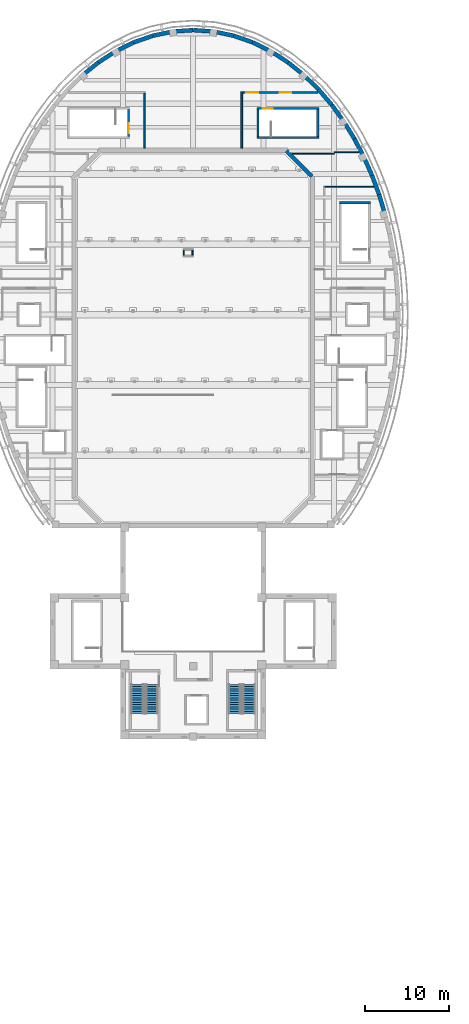
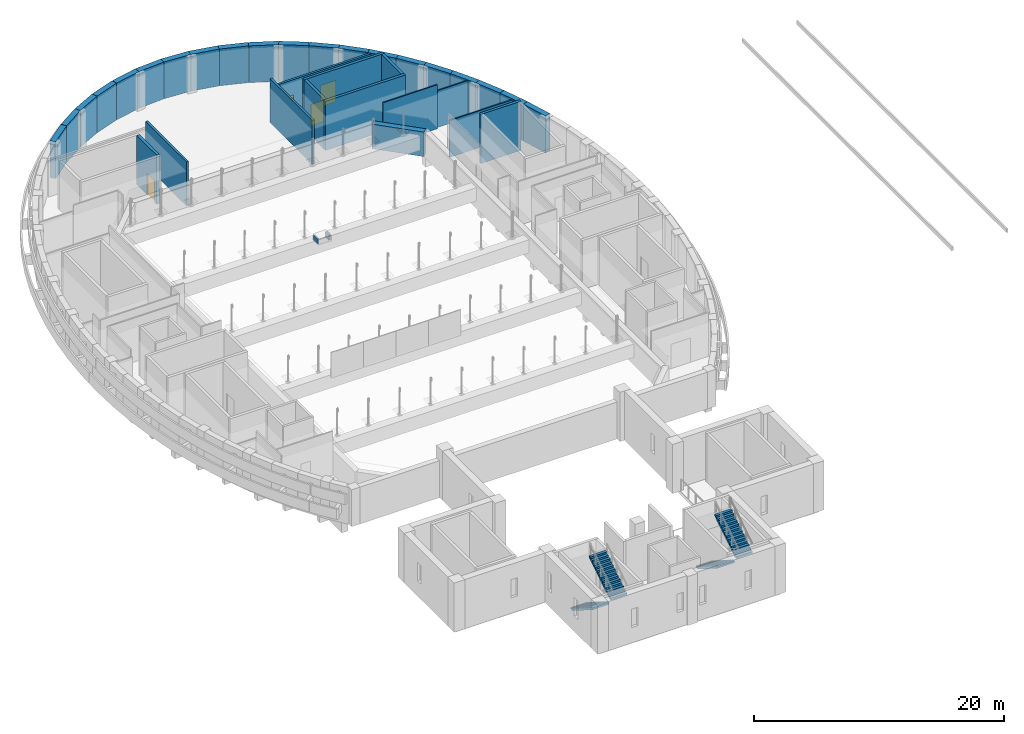
# One storey, part 31 of 47: 35 walls, 4 doors, 4 stair flights, 4 openings, 2 elements without a shape of their own.
"""IFC4 building model written with IfcOpenShell, lengths in metres."""

import ifcopenshell
import ifcopenshell.guid

model = None  # the IFC model being written
_history = None  # IfcOwnerHistory: only IFC2X3 demands one
_inside = {}  # id of a spatial element -> (the spatial element, [elements in it])
_under = {}  # id of a project, library or spatial element -> (it, [spatial elements below it])
_declared = {}  # id of a project -> (the project, [libraries it declares])
_typed = {}  # id of a type object -> (the type object, [elements of that type])
_made_of = {}  # id of a material, layer set ... -> (it, [elements and type objects made of it])


def new_model(schema):
    """Start an empty IFC model of exactly this schema.

    Asked for "IFC4X3", IfcOpenShell would pick the latest addendum, in which some entities
    have other attributes; the version numbers below select the first issue.
    IFC2X3 requires an IfcOwnerHistory on every rooted entity: one is made here for all.
    """
    global model, _history
    if schema == "IFC4X3":
        model = ifcopenshell.file(schema_version=(4, 3, 0, 0))
    else:
        model = ifcopenshell.file(schema=schema)
    _inside.clear()
    _under.clear()
    _declared.clear()
    _typed.clear()
    _made_of.clear()
    _history = None
    if model.schema == "IFC2X3":
        org = make("IfcOrganization", Name="unknown")
        user = make(
            "IfcPersonAndOrganization",
            ThePerson=make("IfcPerson", FamilyName="unknown"),
            TheOrganization=org,
        )
        app = make(
            "IfcApplication",
            ApplicationDeveloper=org,
            Version="unknown",
            ApplicationFullName="unknown",
            ApplicationIdentifier="unknown",
        )
        _history = make(
            "IfcOwnerHistory",
            OwningUser=user,
            OwningApplication=app,
            ChangeAction="ADDED",
            CreationDate=0,
        )
    return model


def make(cls, **values):
    """One entity of the class cls with the attributes given. An attribute that is None is left unset."""
    return model.create_entity(
        cls, **{name: value for name, value in values.items() if value is not None}
    )


def rooted(cls, **values):
    """An entity with a GlobalId (a new one), such as an element, a storey or a relation."""
    return make(cls, GlobalId=ifcopenshell.guid.new(), OwnerHistory=_history, **values)


def si_unit(unit_type, name, prefix=None):
    """IfcSIUnit, for example si_unit("LENGTHUNIT", "METRE", prefix="MILLI")."""
    return make("IfcSIUnit", UnitType=unit_type, Prefix=prefix, Name=name)


def assignment(units):
    """IfcUnitAssignment: the units of a project."""
    return None if units is None else make("IfcUnitAssignment", Units=units)


def point(xyz):
    """IfcCartesianPoint."""
    return None if xyz is None else make("IfcCartesianPoint", Coordinates=xyz)


def direction(xyz):
    """IfcDirection."""
    return None if xyz is None else make("IfcDirection", DirectionRatios=xyz)


def frame(location, z_axis=None, x_axis=None):
    """IfcAxis2Placement3D, a coordinate frame: its origin and axes. An axis left out is left unset."""
    return make(
        "IfcAxis2Placement3D",
        Location=point(location),
        Axis=direction(z_axis),
        RefDirection=direction(x_axis),
    )


def frame_2d(location, x_axis=None):
    """IfcAxis2Placement2D, a coordinate frame in the plane: its origin and x axis."""
    return make(
        "IfcAxis2Placement2D", Location=point(location), RefDirection=direction(x_axis)
    )


def origin():
    """The frame at (0, 0, 0) with its axes left unset."""
    return frame((0.0, 0.0, 0.0))


def place(relative_to, where):
    """IfcLocalPlacement: puts the frame where relative to a parent placement (None: the world)."""
    return make(
        "IfcLocalPlacement", PlacementRelTo=relative_to, RelativePlacement=where
    )


def context(
    kind, dimensions, precision=None, world=None, true_north=None, identifier=None
):
    """IfcGeometricRepresentationContext, for example the 3D "Model" context."""
    return make(
        "IfcGeometricRepresentationContext",
        ContextIdentifier=identifier,
        ContextType=kind,
        CoordinateSpaceDimension=dimensions,
        Precision=precision,
        WorldCoordinateSystem=world,
        TrueNorth=true_north,
    )


def subcontext(parent, identifier, kind, view, scale=None):
    """IfcGeometricRepresentationSubContext, for example "Body" below "Model"."""
    return make(
        "IfcGeometricRepresentationSubContext",
        ContextIdentifier=identifier,
        ContextType=kind,
        ParentContext=parent,
        TargetScale=scale,
        TargetView=view,
    )


def project(units=None, contexts=None):
    """IfcProject with its units and contexts."""
    return rooted(
        "IfcProject",
        Name="project",
        RepresentationContexts=contexts,
        UnitsInContext=assignment(units),
    )


def spatial(cls, under=None, at=None, **own):
    """A site, building, storey or space (cls), placed at a placement, below another one or the project."""
    s = rooted(cls, ObjectPlacement=at, **own)
    if under is not None:
        _under.setdefault(under.id(), (under, []))[1].append(s)
    return s


def polyline(points):
    """IfcPolyline through the points."""
    return make("IfcPolyline", Points=[point(p) for p in points])


def profile(cls, at=None, kind="AREA", **sizes):
    """A parametric profile (cls). Its sizes go by their IFC names, for example OverallWidth=200.0."""
    return make(cls, ProfileType=kind, Position=at, **sizes)


def rectangle(**sizes):
    """IfcRectangleProfileDef."""
    return profile("IfcRectangleProfileDef", **sizes)


def outline(outer, holes=None, kind="AREA"):
    """IfcArbitraryClosedProfileDef: a profile drawn as a closed curve; with holes, ...WithVoids."""
    if holes is None:
        return make("IfcArbitraryClosedProfileDef", ProfileType=kind, OuterCurve=outer)
    return make(
        "IfcArbitraryProfileDefWithVoids",
        ProfileType=kind,
        OuterCurve=outer,
        InnerCurves=holes,
    )


def extrude(swept, where, along, depth):
    """IfcExtrudedAreaSolid: the profile swept, set in the frame where, extruded along a direction by depth."""
    return make(
        "IfcExtrudedAreaSolid",
        SweptArea=swept,
        Position=where,
        ExtrudedDirection=direction(along),
        Depth=depth,
    )


def shape(context_of_items, identifier, shape_type, items):
    """IfcShapeRepresentation: the items that make up one representation, for example the "Body"."""
    return make(
        "IfcShapeRepresentation",
        ContextOfItems=context_of_items,
        RepresentationIdentifier=identifier,
        RepresentationType=shape_type,
        Items=items,
    )


def material(Name=None, Category=None):
    """IfcMaterial."""
    return make("IfcMaterial", Name=Name, Category=Category)


def layer(
    of_material, thickness, ventilated=None, Name=None, Category=None, Priority=None
):
    """IfcMaterialLayer: one layer of a wall or slab, of a material (None: an air gap)."""
    return make(
        "IfcMaterialLayer",
        Material=of_material,
        LayerThickness=thickness,
        IsVentilated=ventilated,
        Name=Name,
        Category=Category,
        Priority=Priority,
    )


def layer_set(layers, Name=None):
    """IfcMaterialLayerSet."""
    return make("IfcMaterialLayerSet", MaterialLayers=layers, LayerSetName=Name)


def made_of(thing, what):
    """Note that an element or type object is made of a material, layer set ...; save() writes the relation."""
    if what is not None:
        _made_of.setdefault(what.id(), (what, []))[1].append(thing)
    return thing


def type_object(cls, material=None, **own):
    """A type object (cls), such as IfcWallType, which elements share."""
    return made_of(rooted(cls, **own), material)


def element(
    cls,
    number,
    at=None,
    inside=None,
    cuts=None,
    type_object=None,
    material=None,
    context=None,
    identifier="Body",
    shape_type=None,
    held_by="IfcProductDefinitionShape",
    body=None,
    shapes=None,
    **own,
):
    """One element of the class cls, such as IfcWall. Its Tag is "e" and its number.

    at: its placement. inside: the storey or other place that contains it. cuts: it is an
    opening in that element (IfcRelVoidsElement). A single representation is given by context,
    identifier, shape_type and body (its items); several are given by shapes. held_by: the class
    of the entity that holds the representations. save() writes the other relations.
    """
    e = rooted(cls, Tag="e%d" % number, ObjectPlacement=at, **own)
    if body is not None:
        shapes = [shape(context, identifier, shape_type, body)]
    if shapes is not None:
        e.Representation = make(held_by, Representations=shapes)
    if inside is not None:
        _inside.setdefault(inside.id(), (inside, []))[1].append(e)
    if cuts is not None:
        rooted(
            "IfcRelVoidsElement", RelatingBuildingElement=cuts, RelatedOpeningElement=e
        )
    if type_object is not None:
        _typed.setdefault(type_object.id(), (type_object, []))[1].append(e)
    return made_of(e, material)


def fill(opening, filler):
    """IfcRelFillsElement: the door or window that sits in an opening."""
    return rooted(
        "IfcRelFillsElement",
        RelatingOpeningElement=opening,
        RelatedBuildingElement=filler,
    )


def aggregate(whole, parts):
    """IfcRelAggregates: a whole, such as a stair, and the parts it consists of."""
    return rooted("IfcRelAggregates", RelatingObject=whole, RelatedObjects=parts)


def save(model, path):
    """Write the relations noted so far, then the file.

    IfcRelAggregates (storeys below a building ...), IfcRelContainedInSpatialStructure (elements
    in a storey), IfcRelDefinesByType, IfcRelAssociatesMaterial and IfcRelDeclares: one each for
    every whole, place, type object, material and project.
    """
    for whole, parts in _under.values():
        aggregate(whole, parts)
    for where, things in _inside.values():
        rooted(
            "IfcRelContainedInSpatialStructure",
            RelatedElements=things,
            RelatingStructure=where,
        )
    for kind, things in _typed.values():
        rooted("IfcRelDefinesByType", RelatedObjects=things, RelatingType=kind)
    for what, things in _made_of.values():
        rooted("IfcRelAssociatesMaterial", RelatedObjects=things, RelatingMaterial=what)
    for by, libraries in _declared.values():
        rooted("IfcRelDeclares", RelatingContext=by, RelatedDefinitions=libraries)
    model.write(path)


model = new_model("IFC4")

# Units and contexts
model_context = context("Model", 3, precision=1e-05, world=origin(), true_north=direction((0.0, 1.0)))
body_context = subcontext(model_context, "Body", "Model", "MODEL_VIEW")
ifc_project = project(units=[si_unit("LENGTHUNIT", "METRE"), si_unit("AREAUNIT", "SQUARE_METRE"), si_unit("VOLUMEUNIT", "CUBIC_METRE"), si_unit("PLANEANGLEUNIT", "RADIAN"), si_unit("MASSUNIT", "GRAM", prefix="KILO")], contexts=[model_context])

# Site, building, storey
site_placement = place(None, origin())
site = spatial("IfcSite", under=ifc_project, at=site_placement, CompositionType="ELEMENT")
building_placement = place(site_placement, origin())
building = spatial("IfcBuilding", under=site, at=building_placement, Name="Larchfold Concert Hall", CompositionType="ELEMENT")
storey_placement = place(building_placement, frame((0.0, 0.0, 24.0)))
storey = spatial("IfcBuildingStorey", under=building, at=storey_placement, Name="L05", CompositionType="ELEMENT", Elevation=24.0)

# Walls
ifc_material_1 = material(Name="Plasterboard partition on steel studs", Category="steel")
ifc_layer_1 = layer(ifc_material_1, 0.199951171875)
ifc_layer_set_1 = layer_set([ifc_layer_1], Name="Plasterboard partition on steel studs")
wall_type_1 = type_object("IfcWallType", Name="Acoustic partition 200", PredefinedType="PARTITIONING", material=ifc_layer_set_1)
wall_1_placement = place(storey_placement, frame((36.799072265625, 111.049072265625, 0.0), z_axis=(0.0, 0.0, 1.0), x_axis=(0.0, -1.0, 0.0)))
element("IfcWall", 1, at=wall_1_placement, inside=storey, type_object=wall_type_1, Name="Partition IW0037", PredefinedType="PARTITIONING", context=body_context, shape_type="SweptSolid", body=[
    extrude(rectangle(XDim=6.549072265625, YDim=0.199951171875, at=frame_2d((3.2744140625, 0.0))), origin(), (0.0, 0.0, 1.0), 4.300048828125),
])
wall_2_placement = place(storey_placement, frame((48.40087890625, 104.5, 0.0), z_axis=(0.0, 0.0, 1.0), x_axis=(0.0, 1.0, 0.0)))
element("IfcWall", 2, at=wall_2_placement, inside=storey, type_object=wall_type_1, Name="Partition IW0038", PredefinedType="PARTITIONING", context=body_context, shape_type="SweptSolid", body=[
    extrude(rectangle(XDim=6.7490234375, YDim=0.199951171875, at=frame_2d((3.37451171875, 0.0))), origin(), (0.0, 0.0, 1.0), 4.300048828125),
])

# Wall, openings, doors
wall_3_placement = place(storey_placement, frame((48.5009765625, 111.14892578125, 0.0), z_axis=(0.0, 0.0, 1.0), x_axis=(1.0, 0.0, 0.0)))
wall_3 = element("IfcWall", 3, at=wall_3_placement, inside=storey, type_object=wall_type_1, Name="Partition IW0039", PredefinedType="PARTITIONING", context=body_context, shape_type="SweptSolid", body=[
    extrude(rectangle(XDim=8.97802734375, YDim=0.199951171875, at=frame_2d((4.489013671875, 0.0))), origin(), (0.0, 0.0, 1.0), 3.599853515625),
])
opening_1_placement = place(wall_3_placement, frame((0.45361328125, 0.0, 0.0)))
opening_1 = element("IfcOpeningElement", 4, at=opening_1_placement, cuts=wall_3, Name="Opening D-L05-106", PredefinedType="OPENING", context=body_context, shape_type="SweptSolid", body=[
    extrude(rectangle(XDim=1.39990234375, YDim=2.10009765625, at=frame_2d((0.699951171875, 1.050048828125))), frame((0.0, 0.10986328125, 0.0), z_axis=(0.0, -1.0, 0.0), x_axis=(1.0, 0.0, 0.0)), (0.0, 0.0, 1.0), 0.219970703125),
])
opening_2_placement = place(wall_3_placement, frame((4.415283203125, 0.0, 0.0)))
opening_2 = element("IfcOpeningElement", 5, at=opening_2_placement, cuts=wall_3, Name="Opening D-L05-107", PredefinedType="OPENING", context=body_context, shape_type="SweptSolid", body=[
    extrude(rectangle(XDim=1.39990234375, YDim=2.10009765625, at=frame_2d((0.699951171875, 1.050048828125))), frame((0.0, 0.10986328125, 0.0), z_axis=(0.0, -1.0, 0.0), x_axis=(1.0, 0.0, 0.0)), (0.0, 0.0, 1.0), 0.219970703125),
])
ifc_material_2 = material(Name="Timber door leaf", Category="wood")
door_type_1 = type_object("IfcDoorType", Name="Rehearsal room sound-lock door pair, acoustic 1400 x 2100 FD30S", OperationType="SINGLE_SWING_LEFT", PredefinedType="DOOR", material=ifc_material_2)
door_1_placement = place(opening_1_placement, origin())
door_1 = element("IfcDoor", 6, at=door_1_placement, inside=storey, type_object=door_type_1, Name="Door D-L05-106", OperationType="DOUBLE_DOOR_SINGLE_SWING", OverallHeight=2.10009765625, OverallWidth=1.39990234375, PredefinedType="DOOR", context=body_context, shape_type="SweptSolid", body=[
    extrude(rectangle(XDim=1.39990234375, YDim=2.10009765625, at=frame_2d((0.699951171875, 1.050048828125))), frame((0.0, 0.02490234375, 0.0), z_axis=(0.0, -1.0, 0.0), x_axis=(1.0, 0.0, 0.0)), (0.0, 0.0, 1.0), 0.050048828125),
])
fill(opening_1, door_1)
door_2_placement = place(opening_2_placement, origin())
door_2 = element("IfcDoor", 7, at=door_2_placement, inside=storey, type_object=door_type_1, Name="Door D-L05-107", OperationType="DOUBLE_DOOR_SINGLE_SWING", OverallHeight=2.10009765625, OverallWidth=1.39990234375, PredefinedType="DOOR", context=body_context, shape_type="SweptSolid", body=[
    extrude(rectangle(XDim=1.39990234375, YDim=2.10009765625, at=frame_2d((0.699951171875, 1.050048828125))), frame((0.0, 0.02490234375, 0.0), z_axis=(0.0, -1.0, 0.0), x_axis=(1.0, 0.0, 0.0)), (0.0, 0.0, 1.0), 0.050048828125),
])
fill(opening_2, door_2)

# Walls
ifc_material_3 = material(Name="Plasterboard partition on steel studs", Category="steel")
ifc_layer_2 = layer(ifc_material_3, 0.125)
ifc_layer_set_2 = layer_set([ifc_layer_2], Name="Plasterboard partition on steel studs")
wall_type_2 = type_object("IfcWallType", Name="Corridor partition 125 EI 60", PredefinedType="PARTITIONING", material=ifc_layer_set_2)
wall_4_placement = place(storey_placement, frame((58.3134765625, 99.89892578125, 0.0), z_axis=(0.0, 0.0, 1.0), x_axis=(1.0, 0.0, 0.0)))
element("IfcWall", 8, at=wall_4_placement, inside=storey, type_object=wall_type_2, Name="Partition IW0022", PredefinedType="PARTITIONING", context=body_context, shape_type="SweptSolid", body=[
    extrude(rectangle(XDim=5.865478515625, YDim=0.125, at=frame_2d((2.9326171875, 0.0))), origin(), (0.0, 0.0, 1.0), 3.599853515625),
])
wall_5_placement = place(storey_placement, frame((54.455078125, 103.85009765625, 0.0), z_axis=(0.0, 0.0, 1.0), x_axis=(1.0, 0.0, 0.0)))
element("IfcWall", 9, at=wall_5_placement, inside=storey, type_object=wall_type_2, Name="Partition IW0034", PredefinedType="PARTITIONING", context=body_context, shape_type="SweptSolid", body=[
    extrude(rectangle(XDim=5.00732421875, YDim=0.125, at=frame_2d((2.503662109375, 0.0))), origin(), (0.0, 0.0, 1.0), 4.300048828125),
])
wall_6_placement = place(storey_placement, frame((59.46240234375, 104.0, 0.0), z_axis=(0.0, 0.0, 1.0), x_axis=(1.0, 0.0, 0.0)))
element("IfcWall", 10, at=wall_6_placement, inside=storey, type_object=wall_type_2, Name="Partition IW0035", PredefinedType="PARTITIONING", context=body_context, shape_type="SweptSolid", body=[
    extrude(rectangle(XDim=2.93359375, YDim=0.125, at=frame_2d((1.466796875, 0.0))), origin(), (0.0, 0.0, 1.0), 3.599853515625),
])
ifc_material_4 = material(Name="Insulated steel upstand S355", Category="steel")
ifc_layer_3 = layer(ifc_material_4, 0.14990234375)
ifc_layer_set_3 = layer_set([ifc_layer_3], Name="Insulated steel upstand S355")
wall_type_3 = type_object("IfcWallType", Name="Roof hatch curb 150", PredefinedType="PARAPET", material=ifc_layer_set_3)
for number, where, z_axis, x_axis, name in (
    (11, (41.47509765625, 91.699951171875, 2.39990234375), (0.0, 0.0, 1.0), (0.0, 1.0, 0.0), "Roof upstand curb HC03"),
    (12, (42.52490234375, 91.699951171875, 2.39990234375), (0.0, 0.0, 1.0), (0.0, 1.0, 0.0), "Roof upstand curb HC04"),
):
    element("IfcWall", number, at=place(storey_placement, frame(where, z_axis=z_axis, x_axis=x_axis)), inside=storey, type_object=wall_type_3, Name=name, PredefinedType="PARAPET", context=body_context, shape_type="SweptSolid", body=[
        extrude(rectangle(XDim=0.60009765625, YDim=0.14990234375, at=frame_2d((0.300048828125, 0.0))), origin(), (0.0, 0.0, 1.0), 0.5),
    ])
ifc_material_5 = material(Name="Concrete C40/50", Category="concrete")
ifc_layer_4 = layer(ifc_material_5, 0.25)
ifc_layer_set_4 = layer_set([ifc_layer_4], Name="Concrete C40/50")
wall_type_4 = type_object("IfcWallType", Name="Wall RC 250 stair core", PredefinedType="SOLIDWALL", material=ifc_layer_set_4)
wall_7_placement = place(storey_placement, frame((60.050048828125, 97.97509765625, 0.0), z_axis=(0.0, 0.0, 1.0), x_axis=(1.0, 0.0, 0.0)))
element("IfcWall", 13, at=wall_7_placement, inside=storey, type_object=wall_type_4, Name="Wall W0026", PredefinedType="SOLIDWALL", context=body_context, shape_type="SweptSolid", body=[
    extrude(rectangle(XDim=3.699951171875, YDim=0.25, at=frame_2d((1.85009765625, 0.0))), origin(), (0.0, 0.0, 1.0), 4.800048828125),
])
wall_8_placement = place(storey_placement, frame((50.199951171875, 105.77490234375, 0.0), z_axis=(0.0, 0.0, 1.0), x_axis=(1.0, 0.0, 0.0)))
element("IfcWall", 14, at=wall_8_placement, inside=storey, type_object=wall_type_4, Name="Wall W0029", PredefinedType="SOLIDWALL", context=body_context, shape_type="SweptSolid", body=[
    extrude(rectangle(XDim=7.400146484375, YDim=0.25, at=frame_2d((3.7001953125, 0.0))), origin(), (0.0, 0.0, 1.0), 4.800048828125),
])

# Wall, opening, door
wall_9_placement = place(storey_placement, frame((50.199951171875, 109.22509765625, 0.0), z_axis=(0.0, 0.0, 1.0), x_axis=(1.0, 0.0, 0.0)))
wall_9 = element("IfcWall", 15, at=wall_9_placement, inside=storey, type_object=wall_type_4, Name="Wall W0030", PredefinedType="SOLIDWALL", context=body_context, shape_type="SweptSolid", body=[
    extrude(rectangle(XDim=7.400146484375, YDim=0.25, at=frame_2d((3.7001953125, 0.0))), origin(), (0.0, 0.0, 1.0), 4.800048828125),
])
opening_3_placement = place(wall_9_placement, frame((0.700439453125, 0.0, 0.0)))
opening_3 = element("IfcOpeningElement", 16, at=opening_3_placement, cuts=wall_9, Name="Opening D-L05-122", PredefinedType="OPENING", context=body_context, shape_type="SweptSolid", body=[
    extrude(rectangle(XDim=1.199951171875, YDim=2.10009765625, at=frame_2d((0.60009765625, 1.050048828125))), frame((0.0, 0.135009765625, 0.0), z_axis=(0.0, -1.0, 0.0), x_axis=(1.0, 0.0, 0.0)), (0.0, 0.0, 1.0), 0.27001953125),
])
ifc_material_6 = material(Name="Timber door leaf", Category="wood")
door_type_2 = type_object("IfcDoorType", Name="Stair enclosure door pair 1200 x 2100 FD60", OperationType="SINGLE_SWING_LEFT", PredefinedType="DOOR", material=ifc_material_6)
door_3_placement = place(opening_3_placement, origin())
door_3 = element("IfcDoor", 17, at=door_3_placement, inside=storey, type_object=door_type_2, Name="Door D-L05-122", OperationType="DOUBLE_DOOR_SINGLE_SWING", OverallHeight=2.10009765625, OverallWidth=1.199951171875, PredefinedType="DOOR", context=body_context, shape_type="SweptSolid", body=[
    extrude(rectangle(XDim=1.199951171875, YDim=2.10009765625, at=frame_2d((0.60009765625, 1.050048828125))), frame((0.0, 0.02490234375, 0.0), z_axis=(0.0, -1.0, 0.0), x_axis=(1.0, 0.0, 0.0)), (0.0, 0.0, 1.0), 0.050048828125),
])
fill(opening_3, door_3)

# Walls
for number, where, z_axis, x_axis, name in (
    (18, (50.324951171875, 105.89990234375, 0.0), (0.0, 0.0, 1.0), (0.0, 1.0, 0.0), "Wall W0031"),
    (19, (57.47509765625, 105.89990234375, 0.0), (0.0, 0.0, 1.0), (0.0, 1.0, 0.0), "Wall W0032"),
):
    element("IfcWall", number, at=place(storey_placement, frame(where, z_axis=z_axis, x_axis=x_axis)), inside=storey, type_object=wall_type_4, Name=name, PredefinedType="SOLIDWALL", context=body_context, shape_type="SweptSolid", body=[
        extrude(rectangle(XDim=3.2001953125, YDim=0.25, at=frame_2d((1.60009765625, 0.0))), origin(), (0.0, 0.0, 1.0), 4.800048828125),
    ])

# Wall, opening, door
wall_10_placement = place(storey_placement, frame((34.875, 105.89990234375, 0.0), z_axis=(0.0, 0.0, 1.0), x_axis=(0.0, 1.0, 0.0)))
wall_10 = element("IfcWall", 20, at=wall_10_placement, inside=storey, type_object=wall_type_4, Name="Wall W0036", PredefinedType="SOLIDWALL", context=body_context, shape_type="SweptSolid", body=[
    extrude(rectangle(XDim=3.2001953125, YDim=0.25, at=frame_2d((1.60009765625, 0.0))), origin(), (0.0, 0.0, 1.0), 4.800048828125),
])
opening_4_placement = place(wall_10_placement, frame((0.35009765625, 0.0, 0.0)))
opening_4 = element("IfcOpeningElement", 21, at=opening_4_placement, cuts=wall_10, Name="Opening D-L05-121", PredefinedType="OPENING", context=body_context, shape_type="SweptSolid", body=[
    extrude(rectangle(XDim=1.199951171875, YDim=2.10009765625, at=frame_2d((0.60009765625, 1.050048828125))), frame((0.0, 0.135009765625, 0.0), z_axis=(0.0, -1.0, 0.0), x_axis=(1.0, 0.0, 0.0)), (0.0, 0.0, 1.0), 0.27001953125),
])
door_4_placement = place(opening_4_placement, origin())
door_4 = element("IfcDoor", 22, at=door_4_placement, inside=storey, type_object=door_type_2, Name="Door D-L05-121", OperationType="DOUBLE_DOOR_SINGLE_SWING", OverallHeight=2.10009765625, OverallWidth=1.199951171875, PredefinedType="DOOR", context=body_context, shape_type="SweptSolid", body=[
    extrude(rectangle(XDim=1.199951171875, YDim=2.10009765625, at=frame_2d((0.60009765625, 1.050048828125))), frame((0.0, 0.02490234375, 0.0), z_axis=(0.0, -1.0, 0.0), x_axis=(1.0, 0.0, 0.0)), (0.0, 0.0, 1.0), 0.050048828125),
])
fill(opening_4, door_4)

# Walls
ifc_material_7 = material(Name="Concrete C30/37", Category="concrete")
ifc_layer_5 = layer(ifc_material_7, 0.5)
ifc_layer_set_5 = layer_set([ifc_layer_5], Name="Concrete C30/37")
wall_type_5 = type_object("IfcWallType", Name="Wall RC 500 drum facade", PredefinedType="SOLIDWALL", material=ifc_layer_set_5)
for number, where, z_axis, x_axis, name in (
    (23, (65.514892578125, 96.63134765625, 0.0), (0.0, 0.0, 1.0), (-0.290594767559, 0.956846215997, 0.0), "Wall DW006"),
    (24, (64.8076171875, 98.960205078125, 0.0), (0.0, 0.0, 1.0), (-0.346579149604, 0.938020731679, 0.0), "Wall DW007"),
):
    element("IfcWall", number, at=place(storey_placement, frame(where, z_axis=z_axis, x_axis=x_axis)), inside=storey, type_object=wall_type_5, Name=name, PredefinedType="SOLIDWALL", context=body_context, shape_type="SweptSolid", body=[
        extrude(rectangle(XDim=2.433837890625, YDim=0.5, at=frame_2d((1.216796875, 0.0))), origin(), (0.0, 0.0, 1.0), 3.60009765625),
    ])
wall_11_placement = place(storey_placement, frame((63.964111328125, 101.2431640625, 0.0), z_axis=(0.0, 0.0, 1.0), x_axis=(-0.404089673612, 0.914719375371, 0.0)))
element("IfcWall", 25, at=wall_11_placement, inside=storey, type_object=wall_type_5, Name="Wall DW008", PredefinedType="SOLIDWALL", context=body_context, shape_type="SweptSolid", body=[
    extrude(rectangle(XDim=2.43359375, YDim=0.5, at=frame_2d((1.216796875, 0.0))), origin(), (0.0, 0.0, 1.0), 3.60009765625),
])
wall_12_placement = place(storey_placement, frame((62.980712890625, 103.46923828125, 0.0), z_axis=(0.0, 0.0, 1.0), x_axis=(-0.463152141842, 0.886278789945, 0.0)))
element("IfcWall", 26, at=wall_12_placement, inside=storey, type_object=wall_type_5, Name="Wall DW009", PredefinedType="SOLIDWALL", context=body_context, shape_type="SweptSolid", body=[
    extrude(rectangle(XDim=2.433837890625, YDim=0.5, at=frame_2d((1.216796875, 0.0))), origin(), (0.0, 0.0, 1.0), 3.60009765625),
])
wall_13_placement = place(storey_placement, frame((61.853515625, 105.626220703125, 0.0), z_axis=(0.0, 0.0, 1.0), x_axis=(-0.524097425664, 0.851658316705, 0.0)))
element("IfcWall", 27, at=wall_13_placement, inside=storey, type_object=wall_type_5, Name="Wall DW010", PredefinedType="SOLIDWALL", context=body_context, shape_type="SweptSolid", body=[
    extrude(rectangle(XDim=2.43359375, YDim=0.5, at=frame_2d((1.216796875, 0.0))), origin(), (0.0, 0.0, 1.0), 3.60009765625),
])
wall_14_placement = place(storey_placement, frame((60.578125, 107.69873046875, 0.0), z_axis=(0.0, 0.0, 1.0), x_axis=(-0.586643688245, 0.809845159918, 0.0)))
element("IfcWall", 28, at=wall_14_placement, inside=storey, type_object=wall_type_5, Name="Wall DW011", PredefinedType="SOLIDWALL", context=body_context, shape_type="SweptSolid", body=[
    extrude(rectangle(XDim=2.433837890625, YDim=0.5, at=frame_2d((1.216796875, 0.0))), origin(), (0.0, 0.0, 1.0), 3.60009765625),
])
for number, where, z_axis, x_axis, name in (
    (29, (59.150390625, 109.669677734375, 0.0), (0.0, 0.0, 1.0), (-0.650526940133, 0.759483179643, 0.0), "Wall DW012"),
    (30, (57.5673828125, 111.517822265625, 0.0), (0.0, 0.0, 1.0), (-0.71498883591, 0.69913586986, 0.0), "Wall DW013"),
):
    element("IfcWall", number, at=place(storey_placement, frame(where, z_axis=z_axis, x_axis=x_axis)), inside=storey, type_object=wall_type_5, Name=name, PredefinedType="SOLIDWALL", context=body_context, shape_type="SweptSolid", body=[
        extrude(rectangle(XDim=2.433349609375, YDim=0.5, at=frame_2d((1.216796875, 0.0))), origin(), (0.0, 0.0, 1.0), 3.60009765625),
    ])
wall_15_placement = place(storey_placement, frame((55.82763671875, 113.218994140625, 0.0), z_axis=(0.0, 0.0, 1.0), x_axis=(-0.779015271296, 0.627004949811, 0.0)))
element("IfcWall", 31, at=wall_15_placement, inside=storey, type_object=wall_type_5, Name="Wall DW014", PredefinedType="SOLIDWALL", context=body_context, shape_type="SweptSolid", body=[
    extrude(rectangle(XDim=2.43310546875, YDim=0.5, at=frame_2d((1.216552734375, 0.0))), origin(), (0.0, 0.0, 1.0), 3.60009765625),
])
wall_16_placement = place(storey_placement, frame((53.93212890625, 114.74462890625, 0.0), z_axis=(0.0, 0.0, 1.0), x_axis=(-0.840519246372, 0.541781687101, 0.0)))
element("IfcWall", 32, at=wall_16_placement, inside=storey, type_object=wall_type_5, Name="Wall DW015", PredefinedType="SOLIDWALL", context=body_context, shape_type="SweptSolid", body=[
    extrude(rectangle(XDim=2.432861328125, YDim=0.5, at=frame_2d((1.21630859375, 0.0))), origin(), (0.0, 0.0, 1.0), 3.60009765625),
])
for number, where, z_axis, x_axis, name in (
    (33, (51.88720703125, 116.062744140625, 0.0), (0.0, 0.0, 1.0), (-0.896822873966, 0.442389797274, 0.0), "Wall DW016"),
    (34, (49.70556640625, 117.138916015625, 0.0), (0.0, 0.0, 1.0), (-0.944373524566, 0.328874818279, 0.0), "Wall DW017"),
):
    element("IfcWall", number, at=place(storey_placement, frame(where, z_axis=z_axis, x_axis=x_axis)), inside=storey, type_object=wall_type_5, Name=name, PredefinedType="SOLIDWALL", context=body_context, shape_type="SweptSolid", body=[
        extrude(rectangle(XDim=2.4326171875, YDim=0.5, at=frame_2d((1.21630859375, 0.0))), origin(), (0.0, 0.0, 1.0), 3.60009765625),
    ])
for number, where, z_axis, x_axis, name in (
    (35, (47.408203125, 117.93896484375, 0.0), (0.0, 0.0, 1.0), (-0.979166233049, 0.203060306454, 0.0), "Wall DW018"),
    (36, (45.026611328125, 118.432861328125, 0.0), (0.0, 0.0, 1.0), (-0.997633415899, 0.068757308571, 0.0), "Wall DW019"),
    (37, (42.60009765625, 118.60009765625, 0.0), (0.0, 0.0, 1.0), (-0.997633415899, -0.068757308571, 0.0), "Wall DW020"),
    (38, (40.173583984375, 118.432861328125, 0.0), (0.0, 0.0, 1.0), (-0.979166233049, -0.203060306454, 0.0), "Wall DW021"),
):
    element("IfcWall", number, at=place(storey_placement, frame(where, z_axis=z_axis, x_axis=x_axis)), inside=storey, type_object=wall_type_5, Name=name, PredefinedType="SOLIDWALL", context=body_context, shape_type="SweptSolid", body=[
        extrude(rectangle(XDim=2.432373046875, YDim=0.5, at=frame_2d((1.21630859375, 0.0))), origin(), (0.0, 0.0, 1.0), 3.60009765625),
    ])
for number, where, z_axis, x_axis, name in (
    (39, (37.7919921875, 117.93896484375, 0.0), (0.0, 0.0, 1.0), (-0.944373524566, -0.328874818279, 0.0), "Wall DW022"),
    (40, (35.49462890625, 117.138916015625, 0.0), (0.0, 0.0, 1.0), (-0.896822873966, -0.442389797274, 0.0), "Wall DW023"),
):
    element("IfcWall", number, at=place(storey_placement, frame(where, z_axis=z_axis, x_axis=x_axis)), inside=storey, type_object=wall_type_5, Name=name, PredefinedType="SOLIDWALL", context=body_context, shape_type="SweptSolid", body=[
        extrude(rectangle(XDim=2.4326171875, YDim=0.5, at=frame_2d((1.21630859375, 0.0))), origin(), (0.0, 0.0, 1.0), 3.60009765625),
    ])
wall_17_placement = place(storey_placement, frame((33.31298828125, 116.062744140625, 0.0), z_axis=(0.0, 0.0, 1.0), x_axis=(-0.840519246372, -0.541781687101, 0.0)))
element("IfcWall", 41, at=wall_17_placement, inside=storey, type_object=wall_type_5, Name="Wall DW024", PredefinedType="SOLIDWALL", context=body_context, shape_type="SweptSolid", body=[
    extrude(rectangle(XDim=2.432861328125, YDim=0.5, at=frame_2d((1.21630859375, 0.0))), origin(), (0.0, 0.0, 1.0), 3.60009765625),
])
wall_18_placement = place(storey_placement, frame((31.26806640625, 114.74462890625, 0.0), z_axis=(0.0, 0.0, 1.0), x_axis=(-0.779015271296, -0.627004949811, 0.0)))
element("IfcWall", 42, at=wall_18_placement, inside=storey, type_object=wall_type_5, Name="Wall DW025", PredefinedType="SOLIDWALL", context=body_context, shape_type="SweptSolid", body=[
    extrude(rectangle(XDim=2.43310546875, YDim=0.5, at=frame_2d((1.216552734375, 0.0))), origin(), (0.0, 0.0, 1.0), 3.60009765625),
])
ifc_material_8 = material(Name="Concrete C40/50", Category="concrete")
ifc_layer_6 = layer(ifc_material_8, 0.5)
ifc_layer_set_6 = layer_set([ifc_layer_6], Name="Concrete C40/50")
wall_type_6 = type_object("IfcWallType", Name="Wall RC 500 hall shell", PredefinedType="SOLIDWALL", material=ifc_layer_set_6)
wall_19_placement = place(storey_placement, frame((56.77734375, 101.122802734375, 0.0), z_axis=(0.0, 0.0, 1.0), x_axis=(-0.707106781187, 0.707106781187, 0.0)))
element("IfcWall", 43, at=wall_19_placement, inside=storey, type_object=wall_type_6, Name="Wall W0003", PredefinedType="SOLIDWALL", context=body_context, shape_type="SweptSolid", body=[
    extrude(rectangle(XDim=4.319580078125, YDim=0.5, at=frame_2d((2.15966796875, 0.0))), origin(), (0.0, 0.0, 1.0), 2.39990234375),
])

# Stair, stair flights
ifc_material_9 = material(Name="Concrete C35/45", Category="concrete")
stair_type = type_object("IfcStairType", Name="Stair RC half-turn enclosed", PredefinedType="HALF_TURN_STAIR", material=ifc_material_9)
stair_1_placement = place(storey_placement, origin())
stair_1 = element("IfcStair", 44, at=stair_1_placement, inside=storey, type_object=stair_type, Name="Stair SH3", PredefinedType="HALF_TURN_STAIR")
ifc_material_10 = material(Name="Concrete C35/45", Category="concrete")
stair_flight_type = type_object("IfcStairFlightType", Name="Stair flight RC 1500 x 171.4", PredefinedType="STRAIGHT", material=ifc_material_10)
stair_flight_1_placement = place(storey_placement, frame((35.949951171875, 40.449951171875, 0.0), z_axis=(0.0, 0.0, 1.0), x_axis=(0.0, -1.0, 0.0)))
stair_flight_1 = element("IfcStairFlight", 45, at=stair_flight_1_placement, type_object=stair_flight_type, Name="ST11 flight 1", NumberOfRisers=14, NumberOfTreads=13, PredefinedType="STRAIGHT", RiserHeight=0.171428571, TreadLength=0.27, context=body_context, shape_type="SweptSolid", body=[
    extrude(outline(polyline([(0.0, 0.0), (0.0, 0.17138671875), (0.27001953125, 0.17138671875), (0.27001953125, 0.3427734375), (0.5400390625, 0.3427734375), (0.5400390625, 0.514404296875), (0.81005859375, 0.514404296875), (0.81005859375, 0.685791015625), (1.080078125, 0.685791015625), (1.080078125, 0.857177734375), (1.35009765625, 0.857177734375), (1.35009765625, 1.028564453125), (1.6201171875, 1.028564453125), (1.6201171875, 1.199951171875), (1.889892578125, 1.199951171875), (1.889892578125, 1.371337890625), (2.159912109375, 1.371337890625), (2.159912109375, 1.54296875), (2.429931640625, 1.54296875), (2.429931640625, 1.71435546875), (2.699951171875, 1.71435546875), (2.699951171875, 1.8857421875), (2.969970703125, 1.8857421875), (2.969970703125, 2.05712890625), (3.239990234375, 2.05712890625), (3.239990234375, 2.228515625), (3.510009765625, 2.228515625), (3.510009765625, 2.39990234375), (3.510009765625, 2.051025390625), (0.27978515625, 0.0), (0.0, 0.0)])), frame((0.0, 0.75, 0.0), z_axis=(0.0, -1.0, 0.0), x_axis=(1.0, 0.0, 0.0)), (0.0, 0.0, 1.0), 1.5),
])
stair_flight_2_placement = place(storey_placement, frame((37.64990234375, 36.93994140625, 2.39990234375), z_axis=(0.0, 0.0, 1.0), x_axis=(0.0, 1.0, 0.0)))
stair_flight_2 = element("IfcStairFlight", 46, at=stair_flight_2_placement, type_object=stair_flight_type, Name="ST11 flight 2", NumberOfRisers=14, NumberOfTreads=13, PredefinedType="STRAIGHT", RiserHeight=0.171428571, TreadLength=0.27, context=body_context, shape_type="SweptSolid", body=[
    extrude(outline(polyline([(0.0, 0.0), (0.0, 0.17138671875), (0.27001953125, 0.17138671875), (0.27001953125, 0.3427734375), (0.5400390625, 0.3427734375), (0.5400390625, 0.514404296875), (0.81005859375, 0.514404296875), (0.81005859375, 0.685791015625), (1.080078125, 0.685791015625), (1.080078125, 0.857177734375), (1.35009765625, 0.857177734375), (1.35009765625, 1.028564453125), (1.6201171875, 1.028564453125), (1.6201171875, 1.199951171875), (1.889892578125, 1.199951171875), (1.889892578125, 1.371337890625), (2.159912109375, 1.371337890625), (2.159912109375, 1.54296875), (2.429931640625, 1.54296875), (2.429931640625, 1.71435546875), (2.699951171875, 1.71435546875), (2.699951171875, 1.8857421875), (2.969970703125, 1.8857421875), (2.969970703125, 2.05712890625), (3.239990234375, 2.05712890625), (3.239990234375, 2.228515625), (3.510009765625, 2.228515625), (3.510009765625, 2.39990234375), (3.510009765625, 2.051025390625), (0.27978515625, 0.0), (0.0, 0.0)])), frame((0.0, 0.75, 0.0), z_axis=(0.0, -1.0, 0.0), x_axis=(1.0, 0.0, 0.0)), (0.0, 0.0, 1.0), 1.5),
])
aggregate(stair_1, [stair_flight_1, stair_flight_2])

stair_2_placement = place(storey_placement, origin())
stair_2 = element("IfcStair", 47, at=stair_2_placement, inside=storey, type_object=stair_type, Name="Stair SH4", PredefinedType="HALF_TURN_STAIR")
stair_flight_3_placement = place(storey_placement, frame((47.550048828125, 40.449951171875, 0.0), z_axis=(0.0, 0.0, 1.0), x_axis=(0.0, -1.0, 0.0)))
stair_flight_3 = element("IfcStairFlight", 48, at=stair_flight_3_placement, type_object=stair_flight_type, Name="ST12 flight 1", NumberOfRisers=14, NumberOfTreads=13, PredefinedType="STRAIGHT", RiserHeight=0.171428571, TreadLength=0.27, context=body_context, shape_type="SweptSolid", body=[
    extrude(outline(polyline([(0.0, 0.0), (0.0, 0.17138671875), (0.27001953125, 0.17138671875), (0.27001953125, 0.3427734375), (0.5400390625, 0.3427734375), (0.5400390625, 0.514404296875), (0.81005859375, 0.514404296875), (0.81005859375, 0.685791015625), (1.080078125, 0.685791015625), (1.080078125, 0.857177734375), (1.35009765625, 0.857177734375), (1.35009765625, 1.028564453125), (1.6201171875, 1.028564453125), (1.6201171875, 1.199951171875), (1.889892578125, 1.199951171875), (1.889892578125, 1.371337890625), (2.159912109375, 1.371337890625), (2.159912109375, 1.54296875), (2.429931640625, 1.54296875), (2.429931640625, 1.71435546875), (2.699951171875, 1.71435546875), (2.699951171875, 1.8857421875), (2.969970703125, 1.8857421875), (2.969970703125, 2.05712890625), (3.239990234375, 2.05712890625), (3.239990234375, 2.228515625), (3.510009765625, 2.228515625), (3.510009765625, 2.39990234375), (3.510009765625, 2.051025390625), (0.27978515625, 0.0), (0.0, 0.0)])), frame((0.0, 0.75, 0.0), z_axis=(0.0, -1.0, 0.0), x_axis=(1.0, 0.0, 0.0)), (0.0, 0.0, 1.0), 1.5),
])
stair_flight_4_placement = place(storey_placement, frame((49.25, 36.93994140625, 2.39990234375), z_axis=(0.0, 0.0, 1.0), x_axis=(0.0, 1.0, 0.0)))
stair_flight_4 = element("IfcStairFlight", 49, at=stair_flight_4_placement, type_object=stair_flight_type, Name="ST12 flight 2", NumberOfRisers=14, NumberOfTreads=13, PredefinedType="STRAIGHT", RiserHeight=0.171428571, TreadLength=0.27, context=body_context, shape_type="SweptSolid", body=[
    extrude(outline(polyline([(0.0, 0.0), (0.0, 0.17138671875), (0.27001953125, 0.17138671875), (0.27001953125, 0.3427734375), (0.5400390625, 0.3427734375), (0.5400390625, 0.514404296875), (0.81005859375, 0.514404296875), (0.81005859375, 0.685791015625), (1.080078125, 0.685791015625), (1.080078125, 0.857177734375), (1.35009765625, 0.857177734375), (1.35009765625, 1.028564453125), (1.6201171875, 1.028564453125), (1.6201171875, 1.199951171875), (1.889892578125, 1.199951171875), (1.889892578125, 1.371337890625), (2.159912109375, 1.371337890625), (2.159912109375, 1.54296875), (2.429931640625, 1.54296875), (2.429931640625, 1.71435546875), (2.699951171875, 1.71435546875), (2.699951171875, 1.8857421875), (2.969970703125, 1.8857421875), (2.969970703125, 2.05712890625), (3.239990234375, 2.05712890625), (3.239990234375, 2.228515625), (3.510009765625, 2.228515625), (3.510009765625, 2.39990234375), (3.510009765625, 2.051025390625), (0.27978515625, 0.0), (0.0, 0.0)])), frame((0.0, 0.75, 0.0), z_axis=(0.0, -1.0, 0.0), x_axis=(1.0, 0.0, 0.0)), (0.0, 0.0, 1.0), 1.5),
])
aggregate(stair_2, [stair_flight_3, stair_flight_4])

save(model, "model.ifc")
